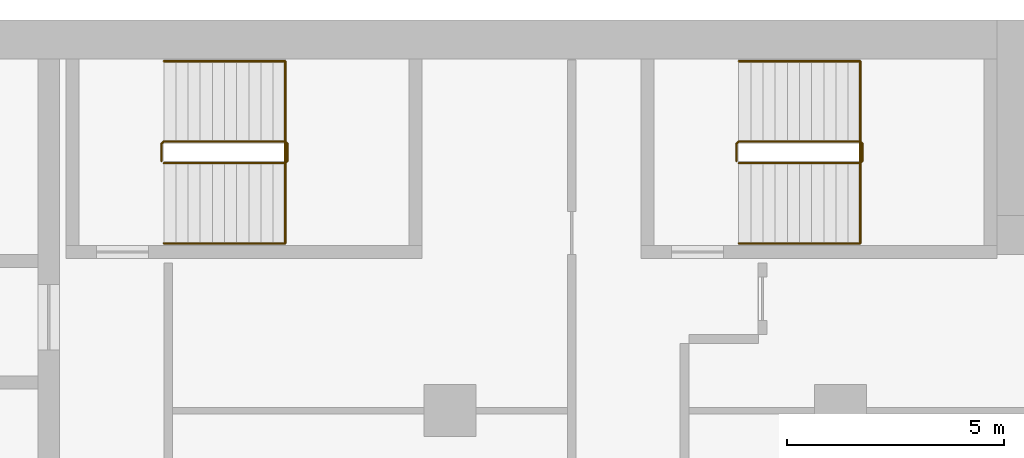
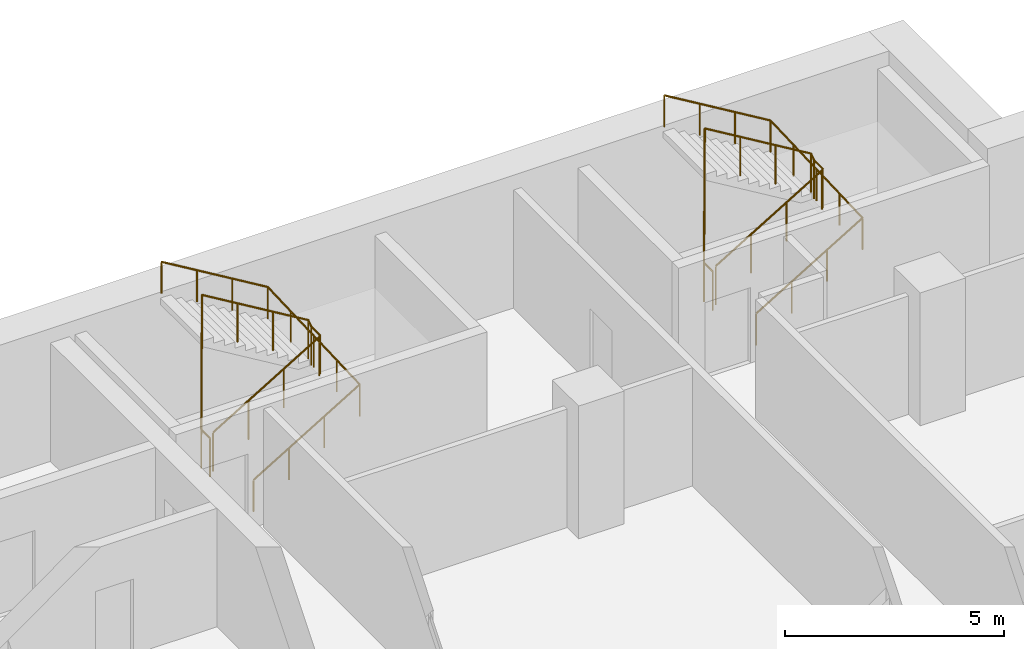
# One storey, part 22 of 22: 4 railings.
"""IFC4 building model written with IfcOpenShell, lengths in metres."""

from ifc_helpers import new_model, si_unit, direction, frame, origin, origin_2d, place, context, subcontext, project, spatial, circle, extrude, material, type_object, element, save


model = new_model("IFC4")

# Units and contexts
model_context = context("Model", 3, precision=1e-05, world=origin(), true_north=direction((0.0, 1.0)))
body_context = subcontext(model_context, "Body", "Model", "MODEL_VIEW")
ifc_project = project(units=[si_unit("LENGTHUNIT", "METRE"), si_unit("AREAUNIT", "SQUARE_METRE"), si_unit("VOLUMEUNIT", "CUBIC_METRE"), si_unit("PLANEANGLEUNIT", "RADIAN"), si_unit("MASSUNIT", "GRAM", prefix="KILO")], contexts=[model_context])

# Site, building, storey
site_placement = place(None, origin())
site = spatial("IfcSite", under=ifc_project, at=site_placement, CompositionType="ELEMENT")
building_placement = place(site_placement, origin())
building = spatial("IfcBuilding", under=site, at=building_placement, Name="Hunhe Ridgeline Campus", CompositionType="ELEMENT")
storey_placement = place(building_placement, frame((0.0, 0.0, 141.199951171875)))
storey = spatial("IfcBuildingStorey", under=building, at=storey_placement, Name="L35", CompositionType="ELEMENT", Elevation=141.199951171875)

# Railings
ifc_material_1 = material(Name="Stainless steel balustrade", Category="steel")
railing_type_1 = type_object("IfcRailingType", Name="Stair guard 1100 stainless", PredefinedType="GUARDRAIL", material=ifc_material_1)
railing_1_placement = place(storey_placement, frame((38.39990234375, 95.699951171875, 0.168212890625)))
element("IfcRailing", 1, at=railing_1_placement, inside=storey, type_object=railing_type_1, Name="L35 stair E1 guard", PredefinedType="GUARDRAIL", context=body_context, shape_type="SweptSolid", body=[
    extrude(circle(Radius=0.02392578125, at=origin_2d()), frame((0.0, 0.0, 1.076171875), z_axis=(0.857242210791, 0.0, 0.514913383045), x_axis=(0.0, 1.0, 0.0)), (0.0, 0.0, 1.0), 3.266357421875),
    extrude(circle(Radius=0.02392578125, at=origin_2d()), frame((2.800048828125, 0.0, 2.7578125), z_axis=(0.707106781187, 0.707106781187, 0.0), x_axis=(-0.707106781187, 0.707106781187, 0.0)), (0.0, 0.0, 1.0), 0.07080078125),
    extrude(circle(Radius=0.02392578125, at=origin_2d()), frame((2.85009765625, 0.050048828125, 2.7578125), z_axis=(0.0, 1.0, 0.0), x_axis=(-1.0, 0.0, 0.0)), (0.0, 0.0, 1.0), 0.39990234375),
    extrude(circle(Radius=0.02392578125, at=origin_2d()), frame((2.85009765625, 0.449951171875, 2.7578125), z_axis=(-0.274243871929, 0.274243871929, 0.92172696468), x_axis=(-0.707106781187, -0.707106781187, 0.0)), (0.0, 0.0, 1.0), 0.1826171875),
    extrude(circle(Radius=0.02392578125, at=origin_2d()), frame((2.800048828125, 0.5, 2.92626953125), z_axis=(-0.857275202839, 0.0, 0.514858452973), x_axis=(0.0, -1.0, 0.0)), (0.0, 0.0, 1.0), 3.26611328125),
    extrude(circle(Radius=0.02392578125, at=origin_2d()), frame((0.0, 0.5, 4.60791015625), z_axis=(-0.013458453615, -0.013524426427, -0.999817963389), x_axis=(0.708833529934, -0.705375805398, 0.0)), (0.0, 0.0, 1.0), 3.70068359375),
    extrude(circle(Radius=0.02392578125, at=origin_2d()), frame((-0.0498046875, 0.449951171875, 0.90771484375), z_axis=(0.0, -1.0, 0.0), x_axis=(1.0, 0.0, 0.0)), (0.0, 0.0, 1.0), 0.39990234375),
    extrude(circle(Radius=0.02099609375, at=origin_2d()), origin(), (0.0, 0.0, 1.0), 1.052001953125),
    extrude(circle(Radius=0.02099609375, at=origin_2d()), frame((0.933349609375, 0.0, 0.560546875)), (0.0, 0.0, 1.0), 1.052001953125),
    extrude(circle(Radius=0.02099609375, at=origin_2d()), frame((1.86669921875, 0.0, 1.121337890625)), (0.0, 0.0, 1.0), 1.052001953125),
    extrude(circle(Radius=0.02099609375, at=origin_2d()), frame((2.800048828125, 0.0, 1.681884765625)), (0.0, 0.0, 1.0), 1.052001953125),
    extrude(circle(Radius=0.02099609375, at=origin_2d()), frame((2.85009765625, 0.050048828125, 1.681884765625)), (0.0, 0.0, 1.0), 1.052001953125),
    extrude(circle(Radius=0.02099609375, at=origin_2d()), frame((2.85009765625, 0.449951171875, 1.681884765625)), (0.0, 0.0, 1.0), 1.052001953125),
    extrude(circle(Radius=0.02099609375, at=origin_2d()), frame((2.800048828125, 0.5, 1.85009765625)), (0.0, 0.0, 1.0), 1.052001953125),
    extrude(circle(Radius=0.02099609375, at=origin_2d()), frame((1.86669921875, 0.5, 2.41064453125)), (0.0, 0.0, 1.0), 1.052001953125),
    extrude(circle(Radius=0.02099609375, at=origin_2d()), frame((0.933349609375, 0.5, 2.97119140625)), (0.0, 0.0, 1.0), 1.052001953125),
    extrude(circle(Radius=0.02099609375, at=origin_2d()), frame((0.0, 0.5, 3.53173828125)), (0.0, 0.0, 1.0), 1.052001953125),
    extrude(circle(Radius=0.02099609375, at=origin_2d()), frame((-0.012451171875, 0.487548828125, 2.606689453125)), (0.0, 0.0, 1.0), 1.052001953125),
    extrude(circle(Radius=0.02099609375, at=origin_2d()), frame((-0.02490234375, 0.47509765625, 1.681640625)), (0.0, 0.0, 1.0), 1.052001953125),
    extrude(circle(Radius=0.02099609375, at=origin_2d()), frame((-0.037353515625, 0.46240234375, 0.7568359375)), (0.0, 0.0, 1.0), 1.052001953125),
    extrude(circle(Radius=0.02099609375, at=origin_2d()), frame((-0.0498046875, 0.449951171875, -0.168212890625)), (0.0, 0.0, 1.0), 1.052001953125),
    extrude(circle(Radius=0.02099609375, at=origin_2d()), frame((-0.0498046875, 0.050048828125, -0.168212890625)), (0.0, 0.0, 1.0), 1.052001953125),
])
railing_2_placement = place(storey_placement, frame((51.64990234375, 95.699951171875, 0.168212890625)))
element("IfcRailing", 2, at=railing_2_placement, inside=storey, type_object=railing_type_1, Name="L35 stair E2 guard", PredefinedType="GUARDRAIL", context=body_context, shape_type="SweptSolid", body=[
    extrude(circle(Radius=0.02392578125, at=origin_2d()), frame((0.0, 0.0, 1.076171875), z_axis=(0.857242210791, 0.0, 0.514913383045), x_axis=(0.0, 1.0, 0.0)), (0.0, 0.0, 1.0), 3.266357421875),
    extrude(circle(Radius=0.02392578125, at=origin_2d()), frame((2.800048828125, 0.0, 2.7578125), z_axis=(0.707106781187, 0.707106781187, 0.0), x_axis=(-0.707106781187, 0.707106781187, 0.0)), (0.0, 0.0, 1.0), 0.07080078125),
    extrude(circle(Radius=0.02392578125, at=origin_2d()), frame((2.85009765625, 0.050048828125, 2.7578125), z_axis=(0.0, 1.0, 0.0), x_axis=(-1.0, 0.0, 0.0)), (0.0, 0.0, 1.0), 0.39990234375),
    extrude(circle(Radius=0.02392578125, at=origin_2d()), frame((2.85009765625, 0.449951171875, 2.7578125), z_axis=(-0.274243871929, 0.274243871929, 0.92172696468), x_axis=(-0.707106781187, -0.707106781187, 0.0)), (0.0, 0.0, 1.0), 0.1826171875),
    extrude(circle(Radius=0.02392578125, at=origin_2d()), frame((2.800048828125, 0.5, 2.92626953125), z_axis=(-0.857275202839, 0.0, 0.514858452973), x_axis=(0.0, -1.0, 0.0)), (0.0, 0.0, 1.0), 3.26611328125),
    extrude(circle(Radius=0.02392578125, at=origin_2d()), frame((0.0, 0.5, 4.60791015625), z_axis=(-0.013458453615, -0.013524426427, -0.999817963389), x_axis=(0.708833529934, -0.705375805398, 0.0)), (0.0, 0.0, 1.0), 3.70068359375),
    extrude(circle(Radius=0.02392578125, at=origin_2d()), frame((-0.0498046875, 0.449951171875, 0.90771484375), z_axis=(0.0, -1.0, 0.0), x_axis=(1.0, 0.0, 0.0)), (0.0, 0.0, 1.0), 0.39990234375),
    extrude(circle(Radius=0.02099609375, at=origin_2d()), origin(), (0.0, 0.0, 1.0), 1.052001953125),
    extrude(circle(Radius=0.02099609375, at=origin_2d()), frame((0.933349609375, 0.0, 0.560546875)), (0.0, 0.0, 1.0), 1.052001953125),
    extrude(circle(Radius=0.02099609375, at=origin_2d()), frame((1.86669921875, 0.0, 1.121337890625)), (0.0, 0.0, 1.0), 1.052001953125),
    extrude(circle(Radius=0.02099609375, at=origin_2d()), frame((2.800048828125, 0.0, 1.681884765625)), (0.0, 0.0, 1.0), 1.052001953125),
    extrude(circle(Radius=0.02099609375, at=origin_2d()), frame((2.85009765625, 0.050048828125, 1.681884765625)), (0.0, 0.0, 1.0), 1.052001953125),
    extrude(circle(Radius=0.02099609375, at=origin_2d()), frame((2.85009765625, 0.449951171875, 1.681884765625)), (0.0, 0.0, 1.0), 1.052001953125),
    extrude(circle(Radius=0.02099609375, at=origin_2d()), frame((2.800048828125, 0.5, 1.85009765625)), (0.0, 0.0, 1.0), 1.052001953125),
    extrude(circle(Radius=0.02099609375, at=origin_2d()), frame((1.86669921875, 0.5, 2.41064453125)), (0.0, 0.0, 1.0), 1.052001953125),
    extrude(circle(Radius=0.02099609375, at=origin_2d()), frame((0.933349609375, 0.5, 2.97119140625)), (0.0, 0.0, 1.0), 1.052001953125),
    extrude(circle(Radius=0.02099609375, at=origin_2d()), frame((0.0, 0.5, 3.53173828125)), (0.0, 0.0, 1.0), 1.052001953125),
    extrude(circle(Radius=0.02099609375, at=origin_2d()), frame((-0.012451171875, 0.487548828125, 2.606689453125)), (0.0, 0.0, 1.0), 1.052001953125),
    extrude(circle(Radius=0.02099609375, at=origin_2d()), frame((-0.02490234375, 0.47509765625, 1.681640625)), (0.0, 0.0, 1.0), 1.052001953125),
    extrude(circle(Radius=0.02099609375, at=origin_2d()), frame((-0.037353515625, 0.46240234375, 0.7568359375)), (0.0, 0.0, 1.0), 1.052001953125),
    extrude(circle(Radius=0.02099609375, at=origin_2d()), frame((-0.0498046875, 0.449951171875, -0.168212890625)), (0.0, 0.0, 1.0), 1.052001953125),
    extrude(circle(Radius=0.02099609375, at=origin_2d()), frame((-0.0498046875, 0.050048828125, -0.168212890625)), (0.0, 0.0, 1.0), 1.052001953125),
])
ifc_material_2 = material(Name="Stainless steel handrail", Category="steel")
railing_type_2 = type_object("IfcRailingType", Name="Stair handrail 900 stainless", PredefinedType="HANDRAIL", material=ifc_material_2)
railing_3_placement = place(storey_placement, frame((38.39990234375, 93.85009765625, 0.168212890625)))
element("IfcRailing", 3, at=railing_3_placement, inside=storey, type_object=railing_type_2, Name="L35 stair E1 handrail", PredefinedType="HANDRAIL", context=body_context, shape_type="SweptSolid", body=[
    extrude(circle(Radius=0.02392578125, at=origin_2d()), frame((0.0, 0.0, 0.8759765625), z_axis=(0.857242210791, 0.0, 0.514913383045), x_axis=(0.0, 1.0, 0.0)), (0.0, 0.0, 1.0), 3.266357421875),
    extrude(circle(Radius=0.02392578125, at=origin_2d()), frame((2.800048828125, 0.0, 2.5576171875), z_axis=(0.0, 0.999198916169, 0.040019069537), x_axis=(-1.0, 0.0, 0.0)), (0.0, 0.0, 1.0), 4.203369140625),
    extrude(circle(Radius=0.02392578125, at=origin_2d()), frame((2.800048828125, 4.199951171875, 2.72607421875), z_axis=(-0.857275202839, 0.0, 0.514858452973), x_axis=(0.0, -1.0, 0.0)), (0.0, 0.0, 1.0), 3.26611328125),
    extrude(circle(Radius=0.02099609375, at=origin_2d()), origin(), (0.0, 0.0, 1.0), 0.851806640625),
    extrude(circle(Radius=0.02099609375, at=origin_2d()), frame((0.933349609375, 0.0, 0.560546875)), (0.0, 0.0, 1.0), 0.851806640625),
    extrude(circle(Radius=0.02099609375, at=origin_2d()), frame((1.86669921875, 0.0, 1.121337890625)), (0.0, 0.0, 1.0), 0.851806640625),
    extrude(circle(Radius=0.02099609375, at=origin_2d()), frame((2.800048828125, 0.0, 1.681884765625)), (0.0, 0.0, 1.0), 0.851806640625),
    extrude(circle(Radius=0.02099609375, at=origin_2d()), frame((2.800048828125, 1.050048828125, 1.723876953125)), (0.0, 0.0, 1.0), 0.851806640625),
    extrude(circle(Radius=0.02099609375, at=origin_2d()), frame((2.800048828125, 2.10009765625, 1.76611328125)), (0.0, 0.0, 1.0), 0.851806640625),
    extrude(circle(Radius=0.02099609375, at=origin_2d()), frame((2.800048828125, 3.14990234375, 1.80810546875)), (0.0, 0.0, 1.0), 0.851806640625),
    extrude(circle(Radius=0.02099609375, at=origin_2d()), frame((2.800048828125, 4.199951171875, 1.85009765625)), (0.0, 0.0, 1.0), 0.851806640625),
    extrude(circle(Radius=0.02099609375, at=origin_2d()), frame((1.86669921875, 4.199951171875, 2.41064453125)), (0.0, 0.0, 1.0), 0.851806640625),
    extrude(circle(Radius=0.02099609375, at=origin_2d()), frame((0.933349609375, 4.199951171875, 2.97119140625)), (0.0, 0.0, 1.0), 0.851806640625),
    extrude(circle(Radius=0.02099609375, at=origin_2d()), frame((0.0, 4.199951171875, 3.53173828125)), (0.0, 0.0, 1.0), 0.851806640625),
])
railing_4_placement = place(storey_placement, frame((51.64990234375, 93.85009765625, 0.168212890625)))
element("IfcRailing", 4, at=railing_4_placement, inside=storey, type_object=railing_type_2, Name="L35 stair E2 handrail", PredefinedType="HANDRAIL", context=body_context, shape_type="SweptSolid", body=[
    extrude(circle(Radius=0.02392578125, at=origin_2d()), frame((0.0, 0.0, 0.8759765625), z_axis=(0.857242210791, 0.0, 0.514913383045), x_axis=(0.0, 1.0, 0.0)), (0.0, 0.0, 1.0), 3.266357421875),
    extrude(circle(Radius=0.02392578125, at=origin_2d()), frame((2.800048828125, 0.0, 2.5576171875), z_axis=(0.0, 0.999198916169, 0.040019069537), x_axis=(-1.0, 0.0, 0.0)), (0.0, 0.0, 1.0), 4.203369140625),
    extrude(circle(Radius=0.02392578125, at=origin_2d()), frame((2.800048828125, 4.199951171875, 2.72607421875), z_axis=(-0.857275202839, 0.0, 0.514858452973), x_axis=(0.0, -1.0, 0.0)), (0.0, 0.0, 1.0), 3.26611328125),
    extrude(circle(Radius=0.02099609375, at=origin_2d()), origin(), (0.0, 0.0, 1.0), 0.851806640625),
    extrude(circle(Radius=0.02099609375, at=origin_2d()), frame((0.933349609375, 0.0, 0.560546875)), (0.0, 0.0, 1.0), 0.851806640625),
    extrude(circle(Radius=0.02099609375, at=origin_2d()), frame((1.86669921875, 0.0, 1.121337890625)), (0.0, 0.0, 1.0), 0.851806640625),
    extrude(circle(Radius=0.02099609375, at=origin_2d()), frame((2.800048828125, 0.0, 1.681884765625)), (0.0, 0.0, 1.0), 0.851806640625),
    extrude(circle(Radius=0.02099609375, at=origin_2d()), frame((2.800048828125, 1.050048828125, 1.723876953125)), (0.0, 0.0, 1.0), 0.851806640625),
    extrude(circle(Radius=0.02099609375, at=origin_2d()), frame((2.800048828125, 2.10009765625, 1.76611328125)), (0.0, 0.0, 1.0), 0.851806640625),
    extrude(circle(Radius=0.02099609375, at=origin_2d()), frame((2.800048828125, 3.14990234375, 1.80810546875)), (0.0, 0.0, 1.0), 0.851806640625),
    extrude(circle(Radius=0.02099609375, at=origin_2d()), frame((2.800048828125, 4.199951171875, 1.85009765625)), (0.0, 0.0, 1.0), 0.851806640625),
    extrude(circle(Radius=0.02099609375, at=origin_2d()), frame((1.86669921875, 4.199951171875, 2.41064453125)), (0.0, 0.0, 1.0), 0.851806640625),
    extrude(circle(Radius=0.02099609375, at=origin_2d()), frame((0.933349609375, 4.199951171875, 2.97119140625)), (0.0, 0.0, 1.0), 0.851806640625),
    extrude(circle(Radius=0.02099609375, at=origin_2d()), frame((0.0, 4.199951171875, 3.53173828125)), (0.0, 0.0, 1.0), 0.851806640625),
])

save(model, "model.ifc")
